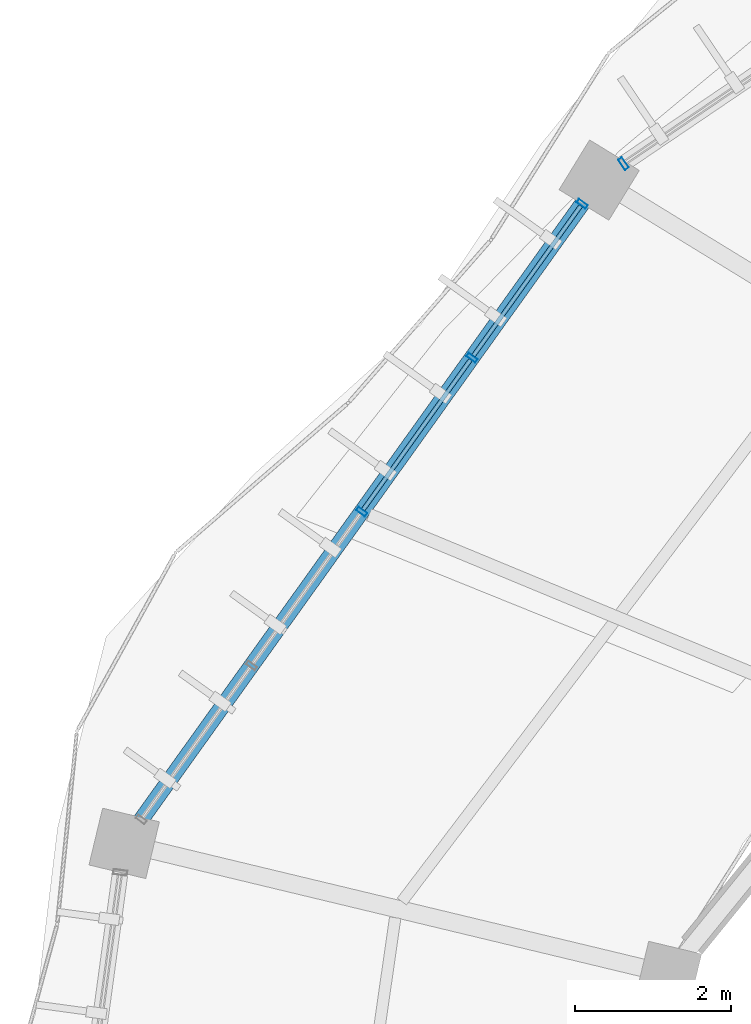
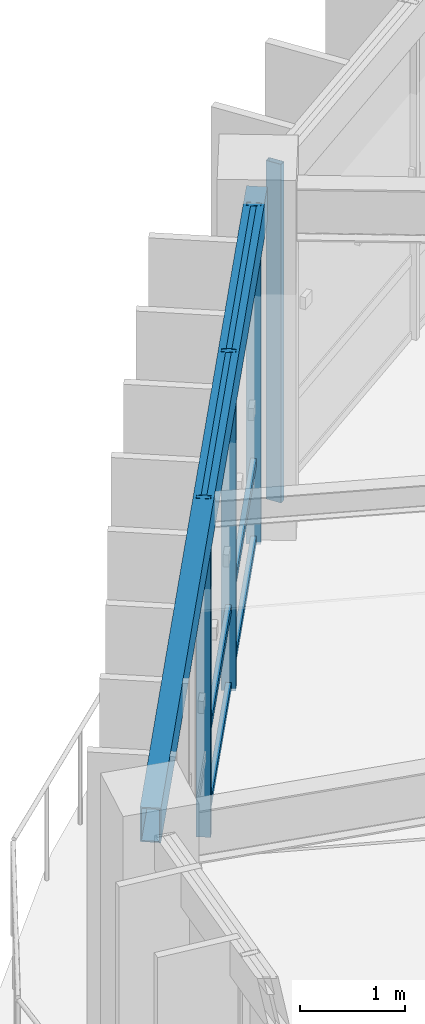
# One storey, part 55 of 152: 10 members, 1 beam, 2 elements without a shape of their own.
"""IFC4 building model written with IfcOpenShell, lengths in metres."""

from ifc_helpers import new_model, si_unit, direction, frame, origin, origin_2d, place, context, subcontext, project, spatial, hollow_rectangle, extrude, material, material_profile, profile_set, type_object, element, aggregate, save


model = new_model("IFC4")

# Units and contexts
model_context = context("Model", 3, precision=1e-05, world=origin(), true_north=direction((0.0, 1.0)))
body_context = subcontext(model_context, "Body", "Model", "MODEL_VIEW")
ifc_project = project(units=[si_unit("LENGTHUNIT", "METRE"), si_unit("AREAUNIT", "SQUARE_METRE"), si_unit("VOLUMEUNIT", "CUBIC_METRE"), si_unit("PLANEANGLEUNIT", "RADIAN"), si_unit("MASSUNIT", "GRAM", prefix="KILO"), si_unit("THERMODYNAMICTEMPERATUREUNIT", "KELVIN"), si_unit("POWERUNIT", "WATT")], contexts=[model_context])

# Site, building, storey
site_placement = place(None, origin())
site = spatial("IfcSite", under=ifc_project, at=site_placement, CompositionType="ELEMENT")
building_placement = place(site_placement, origin())
building = spatial("IfcBuilding", under=site, at=building_placement, Name="Darbajah Civic Hall", CompositionType="ELEMENT")
storey_placement = place(building_placement, frame((0.0, 0.0, 5.39990234375)))
storey = spatial("IfcBuildingStorey", under=building, at=storey_placement, Name="L01", CompositionType="ELEMENT", Elevation=5.39990234375)

# Curtain wall, members
ifc_material_1 = material(Name="Anodised Bronze Aluminium and Low-E Glazing", Category="aluminium")
curtain_wall_type_1 = type_object("IfcCurtainWallType", Name="Unitised Curtain Wall CW-27 9700x3900", PredefinedType="USERDEFINED", material=ifc_material_1)
curtain_wall_1_placement = place(storey_placement, origin())
curtain_wall_1 = element("IfcCurtainWall", 1, at=curtain_wall_1_placement, inside=storey, type_object=curtain_wall_type_1, Name="L01 unitised curtain wall CW-V1O-L01-08", ObjectType="UNITISED CURTAIN WALL", PredefinedType="USERDEFINED")
ifc_material_2 = material(Name="Anodised Bronze Aluminium", Category="aluminium")
ifc_material_profile_1 = material_profile(ifc_material_2, hollow_rectangle(XDim=0.054931640625, YDim=0.139892578125, WallThickness=0.003173828125, at=origin_2d()), Name="ALU MULLION 55x140")
ifc_profile_set_1 = profile_set([ifc_material_profile_1], Name="Anodised Bronze Aluminium")
member_type_1 = type_object("IfcMemberType", Name="ALU MULLION 55x140", PredefinedType="MULLION", material=ifc_profile_set_1)
member_1_placement = place(storey_placement, frame((45.39599609375, 104.9072265625, 0.0), z_axis=(0.0, 0.0, 1.0), x_axis=(-0.582264874145, -0.812999149039, 0.0)))
member_1 = element("IfcMember", 2, at=member_1_placement, type_object=member_type_1, Name="CW-V1O-L01-08 mullion 1", PredefinedType="MULLION", context=body_context, shape_type="SweptSolid", body=[
    extrude(hollow_rectangle(XDim=0.054931640625, YDim=0.139892578125, WallThickness=0.003173828125, at=origin_2d()), origin(), (0.0, 0.0, 1.0), 3.920166015625),
])
member_2_placement = place(storey_placement, frame((43.97900390625, 102.9287109375, 0.0), z_axis=(0.0, 0.0, 1.0), x_axis=(-0.582264874145, -0.812999149039, 0.0)))
member_2 = element("IfcMember", 3, at=member_2_placement, type_object=member_type_1, Name="CW-V1O-L01-08 mullion 2", PredefinedType="MULLION", context=body_context, shape_type="SweptSolid", body=[
    extrude(hollow_rectangle(XDim=0.054931640625, YDim=0.139892578125, WallThickness=0.003173828125, at=origin_2d()), origin(), (0.0, 0.0, 1.0), 3.920166015625),
])
member_3_placement = place(storey_placement, frame((42.562255859375, 100.9501953125, 0.0), z_axis=(0.0, 0.0, 1.0), x_axis=(-0.582264874145, -0.812999149039, 0.0)))
member_3 = element("IfcMember", 4, at=member_3_placement, type_object=member_type_1, Name="CW-V1O-L01-08 mullion 3", PredefinedType="MULLION", context=body_context, shape_type="SweptSolid", body=[
    extrude(hollow_rectangle(XDim=0.054931640625, YDim=0.139892578125, WallThickness=0.003173828125, at=origin_2d()), origin(), (0.0, 0.0, 1.0), 3.920166015625),
])

# Curtain wall, member
curtain_wall_type_2 = type_object("IfcCurtainWallType", Name="Unitised Curtain Wall CW-26 11800x3900", PredefinedType="USERDEFINED", material=ifc_material_1)
curtain_wall_2_placement = place(storey_placement, origin())
curtain_wall_2 = element("IfcCurtainWall", 5, at=curtain_wall_2_placement, inside=storey, type_object=curtain_wall_type_2, Name="L01 unitised curtain wall CW-V1O-L01-07", ObjectType="UNITISED CURTAIN WALL", PredefinedType="USERDEFINED")
ifc_material_profile_2 = material_profile(ifc_material_2, hollow_rectangle(XDim=0.06005859375, YDim=0.159912109375, WallThickness=0.00341796875, at=origin_2d()), Name="ALU MULLION 60x160")
ifc_profile_set_2 = profile_set([ifc_material_profile_2], Name="Anodised Bronze Aluminium")
member_type_2 = type_object("IfcMemberType", Name="ALU MULLION 60x160", PredefinedType="MULLION", material=ifc_profile_set_2)
member_4_placement = place(storey_placement, frame((45.927490234375, 105.425048828125, 0.0), z_axis=(0.0, 0.0, 1.0), x_axis=(-0.827962472047, -0.560783509816, 0.0)))
member_4 = element("IfcMember", 6, at=member_4_placement, type_object=member_type_2, Name="CW-V1O-L01-07 mullion 5", PredefinedType="MULLION", context=body_context, shape_type="SweptSolid", body=[
    extrude(hollow_rectangle(XDim=0.06005859375, YDim=0.159912109375, WallThickness=0.00341796875, at=origin_2d()), origin(), (0.0, 0.0, 1.0), 3.920166015625),
])
aggregate(curtain_wall_2, [member_4])

# Member
ifc_material_profile_3 = material_profile(ifc_material_2, hollow_rectangle(XDim=0.054931640625, YDim=0.10009765625, WallThickness=0.0029296875, at=origin_2d()), Name="ALU TRANSOM 55x100")
ifc_profile_set_3 = profile_set([ifc_material_profile_3], Name="Anodised Bronze Aluminium")
member_type_3 = type_object("IfcMemberType", Name="ALU TRANSOM 55x100", PredefinedType="USERDEFINED", material=ifc_profile_set_3)
member_5_placement = place(storey_placement, frame((45.376953125, 104.880859375, 0.050048828125), z_axis=(-0.582173851655, -0.813064331065, 0.0), x_axis=(0.813064331065, -0.582173851655, 0.0)))
member_5 = element("IfcMember", 7, at=member_5_placement, type_object=member_type_3, Name="CW-V1O-L01-08 transom 1.1", ObjectType="TRANSOM", PredefinedType="USERDEFINED", context=body_context, shape_type="SweptSolid", body=[
    extrude(hollow_rectangle(XDim=0.054931640625, YDim=0.10009765625, WallThickness=0.0029296875, at=origin_2d()), origin(), (0.0, 0.0, 1.0), 2.36865234375),
])

member_6_placement = place(storey_placement, frame((45.376953125, 104.880859375, 0.9501953125), z_axis=(-0.582173851655, -0.813064331065, 0.0), x_axis=(0.813064331065, -0.582173851655, 0.0)))
member_6 = element("IfcMember", 8, at=member_6_placement, type_object=member_type_3, Name="CW-V1O-L01-08 transom 1.2", ObjectType="TRANSOM", PredefinedType="USERDEFINED", context=body_context, shape_type="SweptSolid", body=[
    extrude(hollow_rectangle(XDim=0.054931640625, YDim=0.10009765625, WallThickness=0.0029296875, at=origin_2d()), origin(), (0.0, 0.0, 1.0), 2.36865234375),
])

member_7_placement = place(storey_placement, frame((45.376953125, 104.880859375, 3.8701171875), z_axis=(-0.582173851655, -0.813064331065, 0.0), x_axis=(0.813064331065, -0.582173851655, 0.0)))
member_7 = element("IfcMember", 9, at=member_7_placement, type_object=member_type_3, Name="CW-V1O-L01-08 transom 1.3", ObjectType="TRANSOM", PredefinedType="USERDEFINED", context=body_context, shape_type="SweptSolid", body=[
    extrude(hollow_rectangle(XDim=0.054931640625, YDim=0.10009765625, WallThickness=0.0029296875, at=origin_2d()), origin(), (0.0, 0.0, 1.0), 2.36865234375),
])

member_8_placement = place(storey_placement, frame((43.960205078125, 102.90234375, 0.050048828125), z_axis=(-0.582173851655, -0.813064331065, 0.0), x_axis=(0.813064331065, -0.582173851655, 0.0)))
member_8 = element("IfcMember", 10, at=member_8_placement, type_object=member_type_3, Name="CW-V1O-L01-08 transom 2.1", ObjectType="TRANSOM", PredefinedType="USERDEFINED", context=body_context, shape_type="SweptSolid", body=[
    extrude(hollow_rectangle(XDim=0.054931640625, YDim=0.10009765625, WallThickness=0.0029296875, at=origin_2d()), origin(), (0.0, 0.0, 1.0), 2.36865234375),
])

member_9_placement = place(storey_placement, frame((43.960205078125, 102.90234375, 0.9501953125), z_axis=(-0.582173851655, -0.813064331065, 0.0), x_axis=(0.813064331065, -0.582173851655, 0.0)))
member_9 = element("IfcMember", 11, at=member_9_placement, type_object=member_type_3, Name="CW-V1O-L01-08 transom 2.2", ObjectType="TRANSOM", PredefinedType="USERDEFINED", context=body_context, shape_type="SweptSolid", body=[
    extrude(hollow_rectangle(XDim=0.054931640625, YDim=0.10009765625, WallThickness=0.0029296875, at=origin_2d()), origin(), (0.0, 0.0, 1.0), 2.36865234375),
])

member_10_placement = place(storey_placement, frame((43.960205078125, 102.90234375, 3.8701171875), z_axis=(-0.582173851655, -0.813064331065, 0.0), x_axis=(0.813064331065, -0.582173851655, 0.0)))
member_10 = element("IfcMember", 12, at=member_10_placement, type_object=member_type_3, Name="CW-V1O-L01-08 transom 2.3", ObjectType="TRANSOM", PredefinedType="USERDEFINED", context=body_context, shape_type="SweptSolid", body=[
    extrude(hollow_rectangle(XDim=0.054931640625, YDim=0.10009765625, WallThickness=0.0029296875, at=origin_2d()), origin(), (0.0, 0.0, 1.0), 2.36865234375),
])

aggregate(curtain_wall_1, [member_1, member_2, member_3, member_5, member_6, member_7, member_8, member_9, member_10])

# Beam
ifc_material_3 = material(Name="Steel S355JR", Category="steel")
ifc_material_profile_4 = material_profile(ifc_material_3, hollow_rectangle(XDim=0.199951171875, YDim=0.39990234375, WallThickness=0.013916015625, at=origin_2d()), Name="RHS 400x200x14")
ifc_profile_set_4 = profile_set([ifc_material_profile_4], Name="Steel S355JR")
beam_type = type_object("IfcBeamType", Name="RHS 400x200x14", PredefinedType="SPANDREL", material=ifc_profile_set_4)
beam_placement = place(storey_placement, frame((45.56884765625, 105.148681640625, 3.72021484375), z_axis=(-0.58222165068, -0.813030103674, 0.0), x_axis=(0.813030103674, -0.58222165068, 0.0)))
element("IfcBeam", 13, at=beam_placement, inside=storey, type_object=beam_type, Name="L01 beam SP-RHS400", PredefinedType="SPANDREL", context=body_context, shape_type="SweptSolid", body=[
    extrude(hollow_rectangle(XDim=0.199951171875, YDim=0.39990234375, WallThickness=0.013916015625, at=origin_2d()), origin(), (0.0, 0.0, 1.0), 10.327880859375),
])

save(model, "model.ifc")
